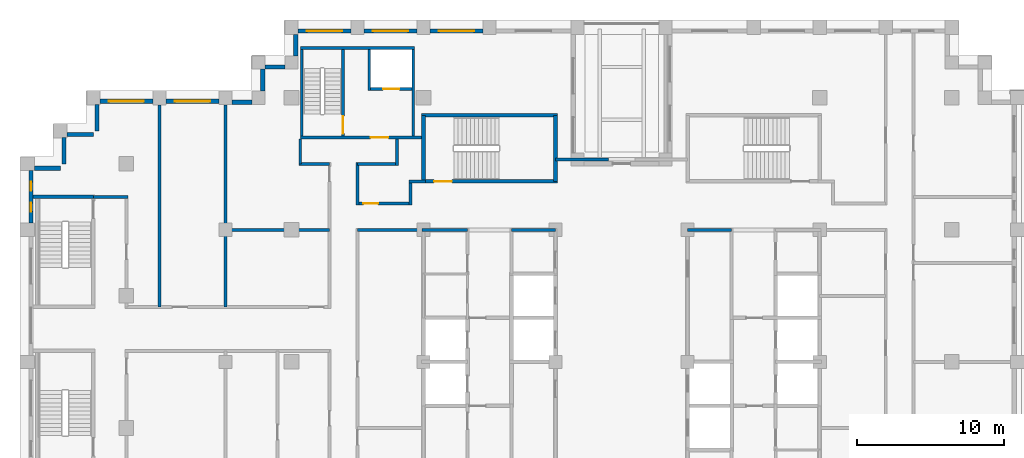
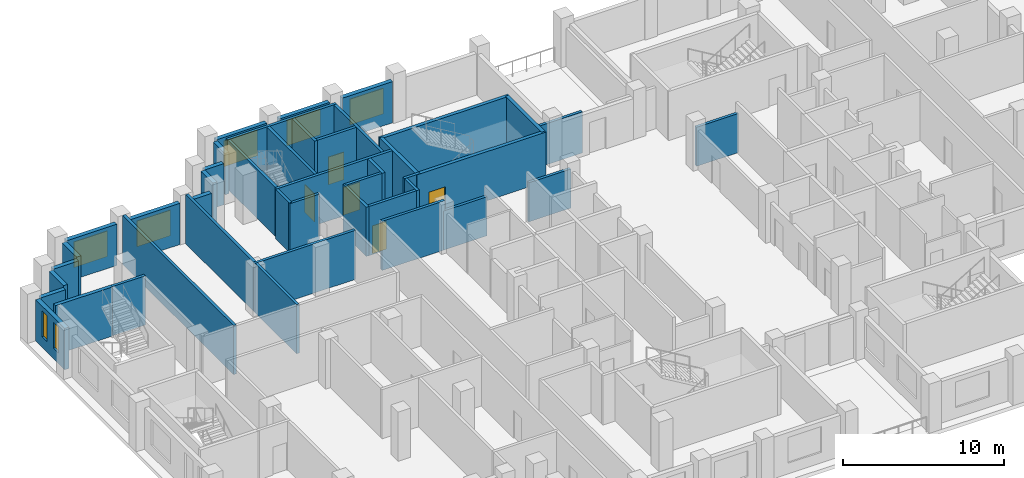
# One storey, part 7 of 12: 43 walls, 7 windows, 5 doors, 12 openings.
"""IFC4 building model written with IfcOpenShell, lengths in metres."""

from ifc_helpers import new_model, si_unit, direction, frame, frame_2d, origin, place, context, subcontext, project, spatial, rectangle, extrude, material, layer, layer_set, type_object, element, fill, save


model = new_model("IFC4")

# Units and contexts
model_context = context("Model", 3, precision=1e-05, world=origin(), true_north=direction((0.0, 1.0)))
body_context = subcontext(model_context, "Body", "Model", "MODEL_VIEW")
ifc_project = project(units=[si_unit("LENGTHUNIT", "METRE"), si_unit("AREAUNIT", "SQUARE_METRE"), si_unit("VOLUMEUNIT", "CUBIC_METRE"), si_unit("PLANEANGLEUNIT", "RADIAN"), si_unit("MASSUNIT", "GRAM", prefix="KILO")], contexts=[model_context])

# Site, building, storey
site_placement = place(None, origin())
site = spatial("IfcSite", under=ifc_project, at=site_placement, CompositionType="ELEMENT")
building_placement = place(site_placement, origin())
building = spatial("IfcBuilding", under=site, at=building_placement, Name="Corbelhall Arena Tower", CompositionType="ELEMENT")
storey_placement = place(building_placement, frame((0.0, 0.0, 184.0)))
storey = spatial("IfcBuildingStorey", under=building, at=storey_placement, Name="L37", CompositionType="ELEMENT", Elevation=184.0)

# Walls
ifc_material_1 = material(Name="Precast concrete C40/50 with granite facing", Category="masonry")
ifc_layer_1 = layer(ifc_material_1, 0.300048828125)
ifc_layer_set_1 = layer_set([ifc_layer_1], Name="EV-IW1 Infill panel 300")
wall_type_1 = type_object("IfcWallType", Name="EV-IW1 Infill panel 300", PredefinedType="SOLIDWALL", material=ifc_layer_set_1)
for number, where, z_axis, x_axis, name in (
    (1, (-35.75, 17.550048828125, 0.0), (0.0, 0.0, 1.0), (0.0, -1.0, 0.0), "Infill panel IW1"),
    (2, (-37.800048828125, 15.5, 0.0), (0.0, 0.0, 1.0), (1.0, 0.0, 0.0), "Infill panel IW1"),
    (3, (-38.0, 15.300048828125, 0.0), (0.0, 0.0, 1.0), (0.0, -1.0, 0.0), "Infill panel IW1"),
):
    element("IfcWall", number, at=place(storey_placement, frame(where, z_axis=z_axis, x_axis=x_axis)), inside=storey, type_object=wall_type_1, Name=name, PredefinedType="SOLIDWALL", context=body_context, shape_type="SweptSolid", body=[
        extrude(rectangle(XDim=1.800048828125, YDim=0.300048828125, at=frame_2d((0.89990234375, 0.0))), origin(), (0.0, 0.0, 1.0), 3.1201171875),
    ])
wall_1_placement = place(storey_placement, frame((-40.0, 13.199951171875, 0.0), z_axis=(0.0, 0.0, 1.0), x_axis=(1.0, 0.0, 0.0)))
element("IfcWall", 4, at=wall_1_placement, inside=storey, type_object=wall_type_1, Name="Infill panel IW1", PredefinedType="SOLIDWALL", context=body_context, shape_type="SweptSolid", body=[
    extrude(rectangle(XDim=1.75, YDim=0.300048828125, at=frame_2d((0.875, 0.0))), origin(), (0.0, 0.0, 1.0), 3.1201171875),
])
wall_2_placement = place(storey_placement, frame((-22.949951171875, 20.10009765625, 0.0), z_axis=(0.0, 0.0, 1.0), x_axis=(-1.0, 0.0, 0.0)))
element("IfcWall", 5, at=wall_2_placement, inside=storey, type_object=wall_type_1, Name="Infill panel IW1", PredefinedType="SOLIDWALL", context=body_context, shape_type="SweptSolid", body=[
    extrude(rectangle(XDim=1.35009765625, YDim=0.300048828125, at=frame_2d((0.675048828125, 0.0))), origin(), (0.0, 0.0, 1.0), 3.1201171875),
])
wall_3_placement = place(storey_placement, frame((-24.449951171875, 19.949951171875, 0.0), z_axis=(0.0, 0.0, 1.0), x_axis=(0.0, -1.0, 0.0)))
element("IfcWall", 6, at=wall_3_placement, inside=storey, type_object=wall_type_1, Name="Infill panel IW1", PredefinedType="SOLIDWALL", context=body_context, shape_type="SweptSolid", body=[
    extrude(rectangle(XDim=1.5, YDim=0.300048828125, at=frame_2d((0.75, 0.0))), origin(), (0.0, 0.0, 1.0), 3.1201171875),
])
wall_4_placement = place(storey_placement, frame((-25.199951171875, 17.699951171875, 0.0), z_axis=(0.0, 0.0, 1.0), x_axis=(-1.0, 0.0, 0.0)))
element("IfcWall", 7, at=wall_4_placement, inside=storey, type_object=wall_type_1, Name="Infill panel IW1", PredefinedType="SOLIDWALL", context=body_context, shape_type="SweptSolid", body=[
    extrude(rectangle(XDim=1.35009765625, YDim=0.300048828125, at=frame_2d((0.675048828125, 0.0))), origin(), (0.0, 0.0, 1.0), 3.1201171875),
])

# Wall, opening, window
wall_5_placement = place(storey_placement, frame((-27.449951171875, 17.75, 0.0), z_axis=(0.0, 0.0, 1.0), x_axis=(-1.0, 0.0, 0.0)))
wall_5 = element("IfcWall", 8, at=wall_5_placement, inside=storey, type_object=wall_type_1, Name="Infill panel IW1", PredefinedType="SOLIDWALL", context=body_context, shape_type="SweptSolid", body=[
    extrude(rectangle(XDim=3.60009765625, YDim=0.300048828125, at=frame_2d((1.800048828125, 0.0))), origin(), (0.0, 0.0, 1.0), 3.1201171875),
])
opening_1_placement = place(wall_5_placement, frame((0.60009765625, 0.0, 0.800048828125)))
opening_1 = element("IfcOpeningElement", 9, at=opening_1_placement, cuts=wall_5, Name="Opening WN1", PredefinedType="OPENING", context=body_context, shape_type="SweptSolid", body=[
    extrude(rectangle(XDim=2.39990234375, YDim=1.949951171875, at=frame_2d((1.199951171875, 0.97509765625))), frame((0.0, 0.14990234375, 0.0), z_axis=(0.0, -1.0, 0.0), x_axis=(1.0, 0.0, 0.0)), (0.0, 0.0, 1.0), 0.300048828125),
])
ifc_material_2 = material(Name="Aluminium black anodised", Category="aluminium")
window_type_1 = type_object("IfcWindowType", Name="EV-WN1 Office window", PartitioningType="SINGLE_PANEL", PredefinedType="WINDOW", material=ifc_material_2)
window_1_placement = place(opening_1_placement, origin())
window_1 = element("IfcWindow", 10, at=window_1_placement, inside=storey, type_object=window_type_1, Name="Window WN1", OverallHeight=1.949951171875, OverallWidth=2.39990234375, PartitioningType="SINGLE_PANEL", PredefinedType="WINDOW", context=body_context, shape_type="SweptSolid", body=[
    extrude(rectangle(XDim=2.39990234375, YDim=1.949951171875, at=frame_2d((1.199951171875, 0.97509765625))), frame((0.0, 0.030029296875, 0.0), z_axis=(0.0, -1.0, 0.0), x_axis=(1.0, 0.0, 0.0)), (0.0, 0.0, 1.0), 0.06005859375),
])
fill(opening_1, window_1)

wall_6_placement = place(storey_placement, frame((-31.949951171875, 17.75, 0.0), z_axis=(0.0, 0.0, 1.0), x_axis=(-1.0, 0.0, 0.0)))
wall_6 = element("IfcWall", 11, at=wall_6_placement, inside=storey, type_object=wall_type_1, Name="Infill panel IW1", PredefinedType="SOLIDWALL", context=body_context, shape_type="SweptSolid", body=[
    extrude(rectangle(XDim=3.60009765625, YDim=0.300048828125, at=frame_2d((1.800048828125, 0.0))), origin(), (0.0, 0.0, 1.0), 3.1201171875),
])
opening_2_placement = place(wall_6_placement, frame((0.60009765625, 0.0, 0.800048828125)))
opening_2 = element("IfcOpeningElement", 12, at=opening_2_placement, cuts=wall_6, Name="Opening WN1", PredefinedType="OPENING", context=body_context, shape_type="SweptSolid", body=[
    extrude(rectangle(XDim=2.39990234375, YDim=1.949951171875, at=frame_2d((1.199951171875, 0.97509765625))), frame((0.0, 0.14990234375, 0.0), z_axis=(0.0, -1.0, 0.0), x_axis=(1.0, 0.0, 0.0)), (0.0, 0.0, 1.0), 0.300048828125),
])
window_2_placement = place(opening_2_placement, origin())
window_2 = element("IfcWindow", 13, at=window_2_placement, inside=storey, type_object=window_type_1, Name="Window WN1", OverallHeight=1.949951171875, OverallWidth=2.39990234375, PartitioningType="SINGLE_PANEL", PredefinedType="WINDOW", context=body_context, shape_type="SweptSolid", body=[
    extrude(rectangle(XDim=2.39990234375, YDim=1.949951171875, at=frame_2d((1.199951171875, 0.97509765625))), frame((0.0, 0.030029296875, 0.0), z_axis=(0.0, -1.0, 0.0), x_axis=(1.0, 0.0, 0.0)), (0.0, 0.0, 1.0), 0.06005859375),
])
fill(opening_2, window_2)

# Wall, openings, windows
wall_7_placement = place(storey_placement, frame((-40.25, 13.050048828125, 0.0), z_axis=(0.0, 0.0, 1.0), x_axis=(0.0, -1.0, 0.0)))
wall_7 = element("IfcWall", 14, at=wall_7_placement, inside=storey, type_object=wall_type_1, Name="Infill panel IW1", PredefinedType="SOLIDWALL", context=body_context, shape_type="SweptSolid", body=[
    extrude(rectangle(XDim=3.60009765625, YDim=0.300048828125, at=frame_2d((1.800048828125, 0.0))), origin(), (0.0, 0.0, 1.0), 3.1201171875),
])
opening_3_placement = place(wall_7_placement, frame((0.78759765625, 0.0, 0.800048828125)))
opening_3 = element("IfcOpeningElement", 15, at=opening_3_placement, cuts=wall_7, Name="Opening WN5", PredefinedType="OPENING", context=body_context, shape_type="SweptSolid", body=[
    extrude(rectangle(XDim=0.60009765625, YDim=1.949951171875, at=frame_2d((0.300048828125, 0.97509765625))), frame((0.0, 0.14990234375, 0.0), z_axis=(0.0, -1.0, 0.0), x_axis=(1.0, 0.0, 0.0)), (0.0, 0.0, 1.0), 0.300048828125),
])
opening_4_placement = place(wall_7_placement, frame((2.21240234375, 0.0, 0.800048828125)))
opening_4 = element("IfcOpeningElement", 16, at=opening_4_placement, cuts=wall_7, Name="Opening WN5", PredefinedType="OPENING", context=body_context, shape_type="SweptSolid", body=[
    extrude(rectangle(XDim=0.60009765625, YDim=1.949951171875, at=frame_2d((0.300048828125, 0.97509765625))), frame((0.0, 0.14990234375, 0.0), z_axis=(0.0, -1.0, 0.0), x_axis=(1.0, 0.0, 0.0)), (0.0, 0.0, 1.0), 0.300048828125),
])
window_type_2 = type_object("IfcWindowType", Name="EV-WN5 Office window 600", PartitioningType="SINGLE_PANEL", PredefinedType="WINDOW", material=ifc_material_2)
window_3_placement = place(opening_3_placement, origin())
window_3 = element("IfcWindow", 17, at=window_3_placement, inside=storey, type_object=window_type_2, Name="Window WN5", OverallHeight=1.949951171875, OverallWidth=0.60009765625, PartitioningType="SINGLE_PANEL", PredefinedType="WINDOW", context=body_context, shape_type="SweptSolid", body=[
    extrude(rectangle(XDim=0.60009765625, YDim=1.949951171875, at=frame_2d((0.300048828125, 0.97509765625))), frame((0.0, 0.030029296875, 0.0), z_axis=(0.0, -1.0, 0.0), x_axis=(1.0, 0.0, 0.0)), (0.0, 0.0, 1.0), 0.06005859375),
])
fill(opening_3, window_3)
window_4_placement = place(opening_4_placement, origin())
window_4 = element("IfcWindow", 18, at=window_4_placement, inside=storey, type_object=window_type_2, Name="Window WN5", OverallHeight=1.949951171875, OverallWidth=0.60009765625, PartitioningType="SINGLE_PANEL", PredefinedType="WINDOW", context=body_context, shape_type="SweptSolid", body=[
    extrude(rectangle(XDim=0.60009765625, YDim=1.949951171875, at=frame_2d((0.300048828125, 0.97509765625))), frame((0.0, 0.030029296875, 0.0), z_axis=(0.0, -1.0, 0.0), x_axis=(1.0, 0.0, 0.0)), (0.0, 0.0, 1.0), 0.06005859375),
])
fill(opening_4, window_4)

# Wall, opening, window
wall_8_placement = place(storey_placement, frame((-9.449951171875, 22.550048828125, 0.0), z_axis=(0.0, 0.0, 1.0), x_axis=(-1.0, 0.0, 0.0)))
wall_8 = element("IfcWall", 19, at=wall_8_placement, inside=storey, type_object=wall_type_1, Name="Infill panel IW1", PredefinedType="SOLIDWALL", context=body_context, shape_type="SweptSolid", body=[
    extrude(rectangle(XDim=3.60009765625, YDim=0.300048828125, at=frame_2d((1.800048828125, 0.0))), origin(), (0.0, 0.0, 1.0), 3.1201171875),
])
opening_5_placement = place(wall_8_placement, frame((0.60009765625, 0.0, 0.800048828125)))
opening_5 = element("IfcOpeningElement", 20, at=opening_5_placement, cuts=wall_8, Name="Opening WN1", PredefinedType="OPENING", context=body_context, shape_type="SweptSolid", body=[
    extrude(rectangle(XDim=2.39990234375, YDim=1.949951171875, at=frame_2d((1.199951171875, 0.97509765625))), frame((0.0, 0.14990234375, 0.0), z_axis=(0.0, -1.0, 0.0), x_axis=(1.0, 0.0, 0.0)), (0.0, 0.0, 1.0), 0.300048828125),
])
window_5_placement = place(opening_5_placement, origin())
window_5 = element("IfcWindow", 21, at=window_5_placement, inside=storey, type_object=window_type_1, Name="Window WN1", OverallHeight=1.949951171875, OverallWidth=2.39990234375, PartitioningType="SINGLE_PANEL", PredefinedType="WINDOW", context=body_context, shape_type="SweptSolid", body=[
    extrude(rectangle(XDim=2.39990234375, YDim=1.949951171875, at=frame_2d((1.199951171875, 0.97509765625))), frame((0.0, 0.030029296875, 0.0), z_axis=(0.0, -1.0, 0.0), x_axis=(1.0, 0.0, 0.0)), (0.0, 0.0, 1.0), 0.06005859375),
])
fill(opening_5, window_5)

wall_9_placement = place(storey_placement, frame((-13.949951171875, 22.550048828125, 0.0), z_axis=(0.0, 0.0, 1.0), x_axis=(-1.0, 0.0, 0.0)))
wall_9 = element("IfcWall", 22, at=wall_9_placement, inside=storey, type_object=wall_type_1, Name="Infill panel IW1", PredefinedType="SOLIDWALL", context=body_context, shape_type="SweptSolid", body=[
    extrude(rectangle(XDim=3.60009765625, YDim=0.300048828125, at=frame_2d((1.800048828125, 0.0))), origin(), (0.0, 0.0, 1.0), 3.1201171875),
])
opening_6_placement = place(wall_9_placement, frame((0.60009765625, 0.0, 0.800048828125)))
opening_6 = element("IfcOpeningElement", 23, at=opening_6_placement, cuts=wall_9, Name="Opening WN1", PredefinedType="OPENING", context=body_context, shape_type="SweptSolid", body=[
    extrude(rectangle(XDim=2.39990234375, YDim=1.949951171875, at=frame_2d((1.199951171875, 0.97509765625))), frame((0.0, 0.14990234375, 0.0), z_axis=(0.0, -1.0, 0.0), x_axis=(1.0, 0.0, 0.0)), (0.0, 0.0, 1.0), 0.300048828125),
])
window_6_placement = place(opening_6_placement, origin())
window_6 = element("IfcWindow", 24, at=window_6_placement, inside=storey, type_object=window_type_1, Name="Window WN1", OverallHeight=1.949951171875, OverallWidth=2.39990234375, PartitioningType="SINGLE_PANEL", PredefinedType="WINDOW", context=body_context, shape_type="SweptSolid", body=[
    extrude(rectangle(XDim=2.39990234375, YDim=1.949951171875, at=frame_2d((1.199951171875, 0.97509765625))), frame((0.0, 0.030029296875, 0.0), z_axis=(0.0, -1.0, 0.0), x_axis=(1.0, 0.0, 0.0)), (0.0, 0.0, 1.0), 0.06005859375),
])
fill(opening_6, window_6)

wall_10_placement = place(storey_placement, frame((-18.449951171875, 22.550048828125, 0.0), z_axis=(0.0, 0.0, 1.0), x_axis=(-1.0, 0.0, 0.0)))
wall_10 = element("IfcWall", 25, at=wall_10_placement, inside=storey, type_object=wall_type_1, Name="Infill panel IW1", PredefinedType="SOLIDWALL", context=body_context, shape_type="SweptSolid", body=[
    extrude(rectangle(XDim=3.60009765625, YDim=0.300048828125, at=frame_2d((1.800048828125, 0.0))), origin(), (0.0, 0.0, 1.0), 3.1201171875),
])
opening_7_placement = place(wall_10_placement, frame((0.60009765625, 0.0, 0.800048828125)))
opening_7 = element("IfcOpeningElement", 26, at=opening_7_placement, cuts=wall_10, Name="Opening WN1", PredefinedType="OPENING", context=body_context, shape_type="SweptSolid", body=[
    extrude(rectangle(XDim=2.39990234375, YDim=1.949951171875, at=frame_2d((1.199951171875, 0.97509765625))), frame((0.0, 0.14990234375, 0.0), z_axis=(0.0, -1.0, 0.0), x_axis=(1.0, 0.0, 0.0)), (0.0, 0.0, 1.0), 0.300048828125),
])
window_7_placement = place(opening_7_placement, origin())
window_7 = element("IfcWindow", 27, at=window_7_placement, inside=storey, type_object=window_type_1, Name="Window WN1", OverallHeight=1.949951171875, OverallWidth=2.39990234375, PartitioningType="SINGLE_PANEL", PredefinedType="WINDOW", context=body_context, shape_type="SweptSolid", body=[
    extrude(rectangle(XDim=2.39990234375, YDim=1.949951171875, at=frame_2d((1.199951171875, 0.97509765625))), frame((0.0, 0.030029296875, 0.0), z_axis=(0.0, -1.0, 0.0), x_axis=(1.0, 0.0, 0.0)), (0.0, 0.0, 1.0), 0.06005859375),
])
fill(opening_7, window_7)

# Walls
wall_11_placement = place(storey_placement, frame((-22.199951171875, 22.300048828125, 0.0), z_axis=(0.0, 0.0, 1.0), x_axis=(0.0, -1.0, 0.0)))
element("IfcWall", 28, at=wall_11_placement, inside=storey, type_object=wall_type_1, Name="Infill panel IW1", PredefinedType="SOLIDWALL", context=body_context, shape_type="SweptSolid", body=[
    extrude(rectangle(XDim=1.449951171875, YDim=0.300048828125, at=frame_2d((0.72509765625, 0.0))), origin(), (0.0, 0.0, 1.0), 3.1201171875),
])
ifc_material_3 = material(Name="Gypsum board on steel stud, acoustic", Category="steel")
ifc_layer_2 = layer(ifc_material_3, 0.199951171875)
ifc_layer_set_2 = layer_set([ifc_layer_2], Name="IN-W-DM200")
wall_type_2 = type_object("IfcWallType", Name="IN-W-DM200", PredefinedType="PARTITIONING", material=ifc_layer_set_2)
wall_12_placement = place(storey_placement, frame((-36.0, 11.25, 0.0), z_axis=(0.0, 0.0, 1.0), x_axis=(1.0, 0.0, 0.0)))
element("IfcWall", 29, at=wall_12_placement, inside=storey, type_object=wall_type_2, Name="Partition 001", PredefinedType="PARTITIONING", context=body_context, shape_type="SweptSolid", body=[
    extrude(rectangle(XDim=2.35009765625, YDim=0.199951171875, at=frame_2d((1.175048828125, 0.0))), origin(), (0.0, 0.0, 1.0), 3.719970703125),
])
wall_13_placement = place(storey_placement, frame((-31.5, 17.5, 0.0), z_axis=(0.0, 0.0, 1.0), x_axis=(0.0, -1.0, 0.0)))
element("IfcWall", 30, at=wall_13_placement, inside=storey, type_object=wall_type_2, Name="Partition 006", PredefinedType="PARTITIONING", context=body_context, shape_type="SweptSolid", body=[
    extrude(rectangle(XDim=13.75, YDim=0.199951171875, at=frame_2d((6.875, 0.0))), origin(), (0.0, 0.0, 1.0), 3.719970703125),
])
wall_14_placement = place(storey_placement, frame((-27.10009765625, 9.0, 0.0), z_axis=(0.0, 0.0, 1.0), x_axis=(1.0, 0.0, 0.0)))
element("IfcWall", 31, at=wall_14_placement, inside=storey, type_object=wall_type_2, Name="Partition 007", PredefinedType="PARTITIONING", context=body_context, shape_type="SweptSolid", body=[
    extrude(rectangle(XDim=7.2001953125, YDim=0.199951171875, at=frame_2d((3.60009765625, 0.0))), origin(), (0.0, 0.0, 1.0), 3.719970703125),
])
wall_15_placement = place(storey_placement, frame((-27.0, 3.75, 0.0), z_axis=(0.0, 0.0, 1.0), x_axis=(0.0, 1.0, 0.0)))
element("IfcWall", 32, at=wall_15_placement, inside=storey, type_object=wall_type_2, Name="Partition 009", PredefinedType="PARTITIONING", context=body_context, shape_type="SweptSolid", body=[
    extrude(rectangle(XDim=13.75, YDim=0.199951171875, at=frame_2d((6.875, 0.0))), origin(), (0.0, 0.0, 1.0), 3.719970703125),
])
wall_16_placement = place(storey_placement, frame((-21.89990234375, 13.5, 0.0), z_axis=(0.0, 0.0, 1.0), x_axis=(0.0, 1.0, 0.0)))
element("IfcWall", 33, at=wall_16_placement, inside=storey, type_object=wall_type_2, Name="Partition 015", PredefinedType="PARTITIONING", context=body_context, shape_type="SweptSolid", body=[
    extrude(rectangle(XDim=1.699951171875, YDim=0.199951171875, at=frame_2d((0.85009765625, 0.0))), origin(), (0.0, 0.0, 1.0), 3.719970703125),
])
wall_17_placement = place(storey_placement, frame((-19.89990234375, 13.5, 0.0), z_axis=(0.0, 0.0, 1.0), x_axis=(-1.0, 0.0, 0.0)))
element("IfcWall", 34, at=wall_17_placement, inside=storey, type_object=wall_type_2, Name="Partition 018", PredefinedType="PARTITIONING", context=body_context, shape_type="SweptSolid", body=[
    extrude(rectangle(XDim=2.10009765625, YDim=0.199951171875, at=frame_2d((1.050048828125, 0.0))), origin(), (0.0, 0.0, 1.0), 3.719970703125),
])

# Wall, opening, door
wall_18_placement = place(storey_placement, frame((-18.0, 10.800048828125, 0.0), z_axis=(0.0, 0.0, 1.0), x_axis=(1.0, 0.0, 0.0)))
wall_18 = element("IfcWall", 35, at=wall_18_placement, inside=storey, type_object=wall_type_2, Name="Partition 023", PredefinedType="PARTITIONING", context=body_context, shape_type="SweptSolid", body=[
    extrude(rectangle(XDim=3.60009765625, YDim=0.199951171875, at=frame_2d((1.800048828125, 0.0))), origin(), (0.0, 0.0, 1.0), 3.719970703125),
])
opening_8_placement = place(wall_18_placement, frame((0.39990234375, 0.0, 0.0)))
opening_8 = element("IfcOpeningElement", 36, at=opening_8_placement, cuts=wall_18, Name="Opening 11027", PredefinedType="OPENING", context=body_context, shape_type="SweptSolid", body=[
    extrude(rectangle(XDim=1.0, YDim=2.10009765625, at=frame_2d((0.5, 1.050048828125))), frame((0.0, 0.10009765625, 0.0), z_axis=(0.0, -1.0, 0.0), x_axis=(1.0, 0.0, 0.0)), (0.0, 0.0, 1.0), 0.199951171875),
])
ifc_material_4 = material(Name="Steel door set", Category="steel")
door_type_1 = type_object("IfcDoorType", Name="IN-D-SW100", OperationType="NOTDEFINED", PredefinedType="DOOR", material=ifc_material_4)
door_1_placement = place(opening_8_placement, origin())
door_1 = element("IfcDoor", 37, at=door_1_placement, inside=storey, type_object=door_type_1, Name="Door 027", OperationType="SINGLE_SWING_RIGHT", OverallHeight=2.10009765625, OverallWidth=1.0, PredefinedType="DOOR", context=body_context, shape_type="SweptSolid", body=[
    extrude(rectangle(XDim=1.0, YDim=2.10009765625, at=frame_2d((0.5, 1.050048828125))), frame((0.0, 0.02490234375, 0.0), z_axis=(0.0, -1.0, 0.0), x_axis=(1.0, 0.0, 0.0)), (0.0, 0.0, 1.0), 0.050048828125),
])
fill(opening_8, door_1)

# Walls
wall_19_placement = place(storey_placement, frame((-18.0, 13.60009765625, 0.0), z_axis=(0.0, 0.0, 1.0), x_axis=(0.0, -1.0, 0.0)))
element("IfcWall", 38, at=wall_19_placement, inside=storey, type_object=wall_type_2, Name="Partition 024", PredefinedType="PARTITIONING", context=body_context, shape_type="SweptSolid", body=[
    extrude(rectangle(XDim=2.900146484375, YDim=0.199951171875, at=frame_2d((1.4501953125, 0.0))), origin(), (0.0, 0.0, 1.0), 3.719970703125),
])
wall_20_placement = place(storey_placement, frame((-15.300048828125, 13.5, 0.0), z_axis=(0.0, 0.0, 1.0), x_axis=(-1.0, 0.0, 0.0)))
element("IfcWall", 39, at=wall_20_placement, inside=storey, type_object=wall_type_2, Name="Partition 025", PredefinedType="PARTITIONING", context=body_context, shape_type="SweptSolid", body=[
    extrude(rectangle(XDim=2.699951171875, YDim=0.199951171875, at=frame_2d((1.35009765625, 0.0))), origin(), (0.0, 0.0, 1.0), 3.719970703125),
])
wall_21_placement = place(storey_placement, frame((-15.300048828125, 15.199951171875, 0.0), z_axis=(0.0, 0.0, 1.0), x_axis=(0.0, -1.0, 0.0)))
element("IfcWall", 40, at=wall_21_placement, inside=storey, type_object=wall_type_2, Name="Partition 026", PredefinedType="PARTITIONING", context=body_context, shape_type="SweptSolid", body=[
    extrude(rectangle(XDim=1.800048828125, YDim=0.199951171875, at=frame_2d((0.89990234375, 0.0))), origin(), (0.0, 0.0, 1.0), 3.719970703125),
])
wall_22_placement = place(storey_placement, frame((-14.5, 12.300048828125, 0.0), z_axis=(0.0, 0.0, 1.0), x_axis=(1.0, 0.0, 0.0)))
element("IfcWall", 41, at=wall_22_placement, inside=storey, type_object=wall_type_2, Name="Partition 027", PredefinedType="PARTITIONING", context=body_context, shape_type="SweptSolid", body=[
    extrude(rectangle(XDim=1.125, YDim=0.199951171875, at=frame_2d((0.5625, 0.0))), origin(), (0.0, 0.0, 1.0), 3.719970703125),
])
wall_23_placement = place(storey_placement, frame((-13.5, 9.0, 0.0), z_axis=(0.0, 0.0, 1.0), x_axis=(-1.0, 0.0, 0.0)))
element("IfcWall", 42, at=wall_23_placement, inside=storey, type_object=wall_type_2, Name="Partition 030", PredefinedType="PARTITIONING", context=body_context, shape_type="SweptSolid", body=[
    extrude(rectangle(XDim=4.5, YDim=0.199951171875, at=frame_2d((2.25, 0.0))), origin(), (0.0, 0.0, 1.0), 3.719970703125),
])
wall_24_placement = place(storey_placement, frame((-14.39990234375, 10.699951171875, 0.0), z_axis=(0.0, 0.0, 1.0), x_axis=(0.0, 1.0, 0.0)))
element("IfcWall", 43, at=wall_24_placement, inside=storey, type_object=wall_type_2, Name="Partition 031", PredefinedType="PARTITIONING", context=body_context, shape_type="SweptSolid", body=[
    extrude(rectangle(XDim=1.60009765625, YDim=0.199951171875, at=frame_2d((0.800048828125, 0.0))), origin(), (0.0, 0.0, 1.0), 3.719970703125),
])
ifc_layer_3 = layer(ifc_material_3, 0.199951171875)
ifc_layer_set_3 = layer_set([ifc_layer_3], Name="IN-W-DM200 under beam 607 mm")
wall_type_3 = type_object("IfcWallType", Name="IN-W-DM200 under beam 607 mm", PredefinedType="PARTITIONING", material=ifc_layer_set_3)
wall_25_placement = place(storey_placement, frame((-4.5, 13.800048828125, 0.0), z_axis=(0.0, 0.0, 1.0), x_axis=(1.0, 0.0, 0.0)))
element("IfcWall", 44, at=wall_25_placement, inside=storey, type_object=wall_type_3, Name="Partition 033", PredefinedType="PARTITIONING", context=body_context, shape_type="SweptSolid", body=[
    extrude(rectangle(XDim=3.60009765625, YDim=0.199951171875, at=frame_2d((1.800048828125, 0.0))), origin(), (0.0, 0.0, 1.0), 3.11279296875),
])

# Wall, opening, door
ifc_material_5 = material(Name="Concrete C40/50", Category="concrete")
ifc_layer_4 = layer(ifc_material_5, 0.199951171875)
ifc_layer_set_4 = layer_set([ifc_layer_4], Name="IN-W-EAR200")
wall_type_4 = type_object("IfcWallType", Name="IN-W-EAR200", PredefinedType="SOLIDWALL", material=ifc_layer_set_4)
wall_26_placement = place(storey_placement, frame((-21.89990234375, 15.300048828125, 0.0), z_axis=(0.0, 0.0, 1.0), x_axis=(1.0, 0.0, 0.0)))
wall_26 = element("IfcWall", 45, at=wall_26_placement, inside=storey, type_object=wall_type_4, Name="Fire service turret wall south", PredefinedType="SOLIDWALL", context=body_context, shape_type="SweptSolid", body=[
    extrude(rectangle(XDim=8.27490234375, YDim=0.199951171875, at=frame_2d((4.137451171875, 0.0))), origin(), (0.0, 0.0, 1.0), 3.719970703125),
])
opening_9_placement = place(wall_26_placement, frame((4.800048828125, 0.0, 0.0)))
opening_9 = element("IfcOpeningElement", 46, at=opening_9_placement, cuts=wall_26, Name="Opening E112", PredefinedType="OPENING", context=body_context, shape_type="SweptSolid", body=[
    extrude(rectangle(XDim=1.199951171875, YDim=2.10009765625, at=frame_2d((0.60009765625, 1.050048828125))), frame((0.0, 0.10009765625, 0.0), z_axis=(0.0, -1.0, 0.0), x_axis=(1.0, 0.0, 0.0)), (0.0, 0.0, 1.0), 0.199951171875),
])
door_type_2 = type_object("IfcDoorType", Name="IN-D-ST120", OperationType="NOTDEFINED", PredefinedType="DOOR", material=ifc_material_4)
door_2_placement = place(opening_9_placement, origin())
door_2 = element("IfcDoor", 47, at=door_2_placement, inside=storey, type_object=door_type_2, Name="Door from fire service lift lobby to circulation", OperationType="SINGLE_SWING_RIGHT", OverallHeight=2.10009765625, OverallWidth=1.199951171875, PredefinedType="DOOR", context=body_context, shape_type="SweptSolid", body=[
    extrude(rectangle(XDim=1.199951171875, YDim=2.10009765625, at=frame_2d((0.60009765625, 1.050048828125))), frame((0.0, 0.02490234375, 0.0), z_axis=(0.0, -1.0, 0.0), x_axis=(1.0, 0.0, 0.0)), (0.0, 0.0, 1.0), 0.050048828125),
])
fill(opening_9, door_2)

# Walls
wall_27_placement = place(storey_placement, frame((-21.89990234375, 21.39990234375, 0.0), z_axis=(0.0, 0.0, 1.0), x_axis=(1.0, 0.0, 0.0)))
element("IfcWall", 48, at=wall_27_placement, inside=storey, type_object=wall_type_4, Name="Fire service turret wall north", PredefinedType="SOLIDWALL", context=body_context, shape_type="SweptSolid", body=[
    extrude(rectangle(XDim=7.7998046875, YDim=0.199951171875, at=frame_2d((3.89990234375, 0.0))), origin(), (0.0, 0.0, 1.0), 3.719970703125),
])
for number, where, z_axis, x_axis, name in (
    (49, (-21.800048828125, 15.39990234375, 0.0), (0.0, 0.0, 1.0), (0.0, 1.0, 0.0), "Fire service turret wall west"),
    (50, (-14.199951171875, 15.39990234375, 0.0), (0.0, 0.0, 1.0), (0.0, 1.0, 0.0), "Fire service turret wall east"),
):
    element("IfcWall", number, at=place(storey_placement, frame(where, z_axis=z_axis, x_axis=x_axis)), inside=storey, type_object=wall_type_4, Name=name, PredefinedType="SOLIDWALL", context=body_context, shape_type="SweptSolid", body=[
        extrude(rectangle(XDim=5.900146484375, YDim=0.199951171875, at=frame_2d((2.9501953125, 0.0))), origin(), (0.0, 0.0, 1.0), 3.719970703125),
    ])

# Wall, opening, door
wall_28_placement = place(storey_placement, frame((-18.989990234375, 15.39990234375, 0.0), z_axis=(0.0, 0.0, 1.0), x_axis=(0.0, 1.0, 0.0)))
wall_28 = element("IfcWall", 51, at=wall_28_placement, inside=storey, type_object=wall_type_4, Name="Fire service turret wall stair", PredefinedType="SOLIDWALL", context=body_context, shape_type="SweptSolid", body=[
    extrude(rectangle(XDim=5.900146484375, YDim=0.199951171875, at=frame_2d((2.9501953125, 0.0))), origin(), (0.0, 0.0, 1.0), 3.719970703125),
])
opening_10_placement = place(wall_28_placement, frame((0.14990234375, 0.0, 0.0)))
opening_10 = element("IfcOpeningElement", 52, at=opening_10_placement, cuts=wall_28, Name="Opening E111", PredefinedType="OPENING", context=body_context, shape_type="SweptSolid", body=[
    extrude(rectangle(XDim=1.199951171875, YDim=2.10009765625, at=frame_2d((0.60009765625, 1.050048828125))), frame((0.0, 0.10009765625, 0.0), z_axis=(0.0, -1.0, 0.0), x_axis=(1.0, 0.0, 0.0)), (0.0, 0.0, 1.0), 0.199951171875),
])
door_3_placement = place(opening_10_placement, origin())
door_3 = element("IfcDoor", 53, at=door_3_placement, inside=storey, type_object=door_type_2, Name="Stair door to fire service lobby", OperationType="SINGLE_SWING_LEFT", OverallHeight=2.10009765625, OverallWidth=1.199951171875, PredefinedType="DOOR", context=body_context, shape_type="SweptSolid", body=[
    extrude(rectangle(XDim=1.199951171875, YDim=2.10009765625, at=frame_2d((0.60009765625, 1.050048828125))), frame((0.0, 0.02490234375, 0.0), z_axis=(0.0, -1.0, 0.0), x_axis=(1.0, 0.0, 0.0)), (0.0, 0.0, 1.0), 0.050048828125),
])
fill(opening_10, door_3)

# Wall
wall_29_placement = place(storey_placement, frame((-17.199951171875, 18.5, 0.0), z_axis=(0.0, 0.0, 1.0), x_axis=(0.0, 1.0, 0.0)))
element("IfcWall", 54, at=wall_29_placement, inside=storey, type_object=wall_type_4, Name="Fire service turret wall hoistway west", PredefinedType="SOLIDWALL", context=body_context, shape_type="SweptSolid", body=[
    extrude(rectangle(XDim=2.800048828125, YDim=0.199951171875, at=frame_2d((1.39990234375, 0.0))), origin(), (0.0, 0.0, 1.0), 3.719970703125),
])

# Wall, opening, door
wall_30_placement = place(storey_placement, frame((-17.10009765625, 18.60009765625, 0.0), z_axis=(0.0, 0.0, 1.0), x_axis=(1.0, 0.0, 0.0)))
wall_30 = element("IfcWall", 55, at=wall_30_placement, inside=storey, type_object=wall_type_4, Name="Fire service turret wall hoistway south", PredefinedType="SOLIDWALL", context=body_context, shape_type="SweptSolid", body=[
    extrude(rectangle(XDim=2.800048828125, YDim=0.199951171875, at=frame_2d((1.39990234375, 0.0))), origin(), (0.0, 0.0, 1.0), 3.719970703125),
])
opening_11_placement = place(wall_30_placement, frame((0.85009765625, 0.0, 0.0)))
opening_11 = element("IfcOpeningElement", 56, at=opening_11_placement, cuts=wall_30, Name="Opening LD", PredefinedType="OPENING", context=body_context, shape_type="SweptSolid", body=[
    extrude(rectangle(XDim=1.10009765625, YDim=2.10009765625, at=frame_2d((0.550048828125, 1.050048828125))), frame((0.0, 0.10009765625, 0.0), z_axis=(0.0, -1.0, 0.0), x_axis=(1.0, 0.0, 0.0)), (0.0, 0.0, 1.0), 0.199951171875),
])
door_type_3 = type_object("IfcDoorType", Name="IN-D-LD110", OperationType="NOTDEFINED", PredefinedType="DOOR", material=ifc_material_4)
door_4_placement = place(opening_11_placement, origin())
door_4 = element("IfcDoor", 57, at=door_4_placement, inside=storey, type_object=door_type_3, Name="Landing door FS1", OperationType="SLIDING_TO_LEFT", OverallHeight=2.10009765625, OverallWidth=1.10009765625, PredefinedType="DOOR", context=body_context, shape_type="SweptSolid", body=[
    extrude(rectangle(XDim=1.10009765625, YDim=2.10009765625, at=frame_2d((0.550048828125, 1.050048828125))), frame((0.0, 0.02490234375, 0.0), z_axis=(0.0, -1.0, 0.0), x_axis=(1.0, 0.0, 0.0)), (0.0, 0.0, 1.0), 0.050048828125),
])
fill(opening_11, door_4)

# Walls
ifc_material_6 = material(Name="Concrete block wall", Category="concrete")
ifc_layer_5 = layer(ifc_material_6, 0.199951171875)
ifc_layer_set_5 = layer_set([ifc_layer_5], Name="IN-W-RS200 under beam 762 mm")
wall_type_5 = type_object("IfcWallType", Name="IN-W-RS200 under beam 762 mm", PredefinedType="SOLIDWALL", material=ifc_layer_set_5)
wall_31_placement = place(storey_placement, frame((-13.60009765625, 9.0, 0.0), z_axis=(0.0, 0.0, 1.0), x_axis=(1.0, 0.0, 0.0)))
element("IfcWall", 58, at=wall_31_placement, inside=storey, type_object=wall_type_5, Name="Partition 050", PredefinedType="SOLIDWALL", context=body_context, shape_type="SweptSolid", body=[
    extrude(rectangle(XDim=3.10009765625, YDim=0.199951171875, at=frame_2d((1.550048828125, 0.0))), origin(), (0.0, 0.0, 1.0), 2.9580078125),
])
for number, where, z_axis, x_axis, name in (
    (59, (-7.5, 9.0, 0.0), (0.0, 0.0, 1.0), (1.0, 0.0, 0.0), "Partition 057"),
    (60, (4.5, 9.0, 0.0), (0.0, 0.0, 1.0), (1.0, 0.0, 0.0), "Partition 063"),
):
    element("IfcWall", number, at=place(storey_placement, frame(where, z_axis=z_axis, x_axis=x_axis)), inside=storey, type_object=wall_type_5, Name=name, PredefinedType="SOLIDWALL", context=body_context, shape_type="SweptSolid", body=[
        extrude(rectangle(XDim=3.0, YDim=0.199951171875, at=frame_2d((1.5, 0.0))), origin(), (0.0, 0.0, 1.0), 2.9580078125),
    ])
ifc_layer_6 = layer(ifc_material_5, 0.25)
ifc_layer_set_6 = layer_set([ifc_layer_6], Name="IN-W-ST250")
wall_type_6 = type_object("IfcWallType", Name="IN-W-ST250", PredefinedType="SOLIDWALL", material=ifc_layer_set_6)
wall_32_placement = place(storey_placement, frame((-40.10009765625, 11.25, 0.0), z_axis=(0.0, 0.0, 1.0), x_axis=(1.0, 0.0, 0.0)))
element("IfcWall", 61, at=wall_32_placement, inside=storey, type_object=wall_type_6, Name="Shaft wall 092", PredefinedType="SOLIDWALL", context=body_context, shape_type="SweptSolid", body=[
    extrude(rectangle(XDim=4.10009765625, YDim=0.25, at=frame_2d((2.050048828125, 0.0))), origin(), (0.0, 0.0, 1.0), 3.719970703125),
])

# Wall, opening, door
wall_33_placement = place(storey_placement, frame((-13.625, 12.300048828125, 0.0), z_axis=(0.0, 0.0, 1.0), x_axis=(1.0, 0.0, 0.0)))
wall_33 = element("IfcWall", 62, at=wall_33_placement, inside=storey, type_object=wall_type_6, Name="Shaft wall 097", PredefinedType="SOLIDWALL", context=body_context, shape_type="SweptSolid", body=[
    extrude(rectangle(XDim=9.25, YDim=0.25, at=frame_2d((4.625, 0.0))), origin(), (0.0, 0.0, 1.0), 3.719970703125),
])
opening_12_placement = place(wall_33_placement, frame((0.85009765625, 0.0, 0.0)))
opening_12 = element("IfcOpeningElement", 63, at=opening_12_placement, cuts=wall_33, Name="Opening 11016", PredefinedType="OPENING", context=body_context, shape_type="SweptSolid", body=[
    extrude(rectangle(XDim=1.199951171875, YDim=2.10009765625, at=frame_2d((0.60009765625, 1.050048828125))), frame((0.0, 0.125, 0.0), z_axis=(0.0, -1.0, 0.0), x_axis=(1.0, 0.0, 0.0)), (0.0, 0.0, 1.0), 0.25),
])
door_5_placement = place(opening_12_placement, origin())
door_5 = element("IfcDoor", 64, at=door_5_placement, inside=storey, type_object=door_type_2, Name="Door 016", OperationType="SINGLE_SWING_LEFT", OverallHeight=2.10009765625, OverallWidth=1.199951171875, PredefinedType="DOOR", context=body_context, shape_type="SweptSolid", body=[
    extrude(rectangle(XDim=1.199951171875, YDim=2.10009765625, at=frame_2d((0.60009765625, 1.050048828125))), frame((0.0, 0.02490234375, 0.0), z_axis=(0.0, -1.0, 0.0), x_axis=(1.0, 0.0, 0.0)), (0.0, 0.0, 1.0), 0.050048828125),
])
fill(opening_12, door_5)

# Walls
wall_34_placement = place(storey_placement, frame((-13.625, 16.800048828125, 0.0), z_axis=(0.0, 0.0, 1.0), x_axis=(1.0, 0.0, 0.0)))
element("IfcWall", 65, at=wall_34_placement, inside=storey, type_object=wall_type_6, Name="Shaft wall 098", PredefinedType="SOLIDWALL", context=body_context, shape_type="SweptSolid", body=[
    extrude(rectangle(XDim=9.25, YDim=0.25, at=frame_2d((4.625, 0.0))), origin(), (0.0, 0.0, 1.0), 3.719970703125),
])
for number, where, z_axis, x_axis, name in (
    (66, (-13.5, 12.300048828125, 0.0), (0.0, 0.0, 1.0), (0.0, 1.0, 0.0), "Shaft wall 100"),
    (67, (-4.5, 16.800048828125, 0.0), (0.0, 0.0, 1.0), (0.0, -1.0, 0.0), "Shaft wall 103"),
):
    element("IfcWall", number, at=place(storey_placement, frame(where, z_axis=z_axis, x_axis=x_axis)), inside=storey, type_object=wall_type_6, Name=name, PredefinedType="SOLIDWALL", context=body_context, shape_type="SweptSolid", body=[
        extrude(rectangle(XDim=4.5, YDim=0.25, at=frame_2d((2.25, 0.0))), origin(), (0.0, 0.0, 1.0), 3.719970703125),
    ])

save(model, "model.ifc")
